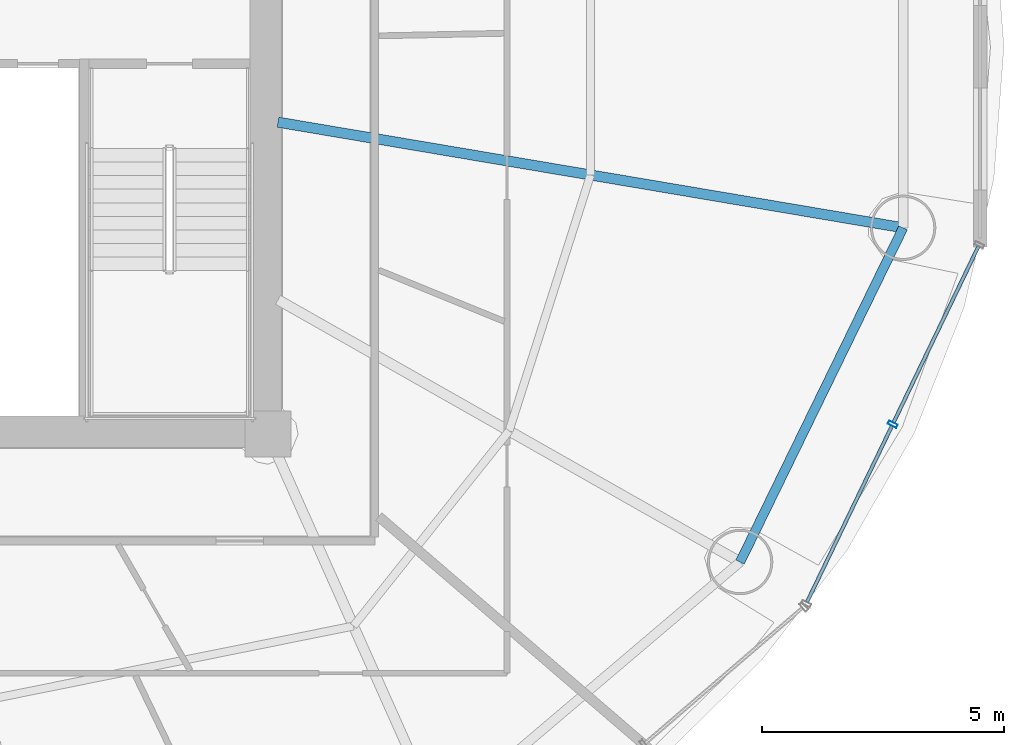
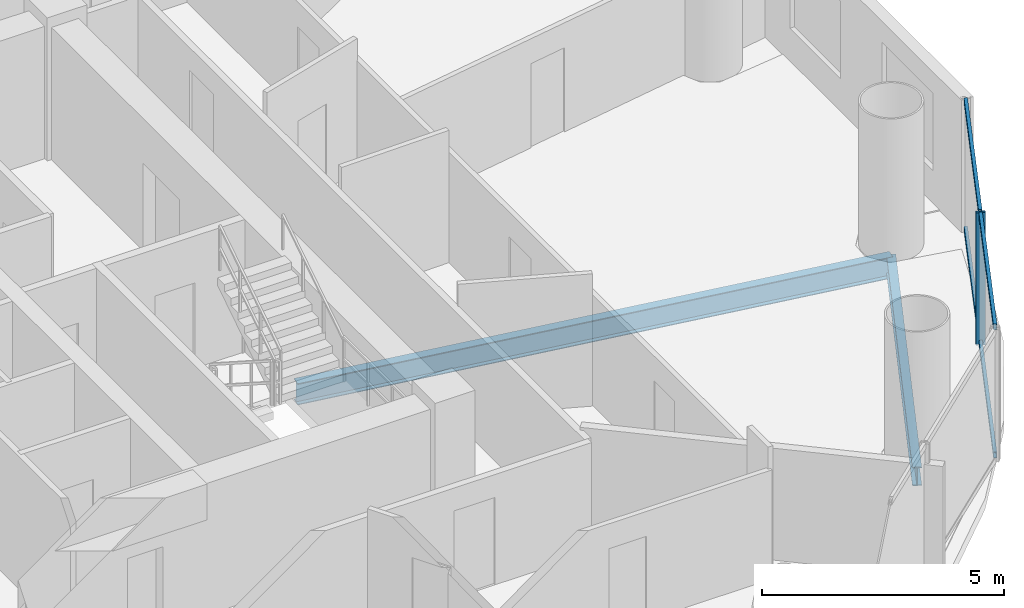
# One storey, part 11 of 27: 5 members, 2 beams, 1 element without a shape of its own.
"""IFC4 building model written with IfcOpenShell, lengths in metres."""

from ifc_helpers import new_model, si_unit, direction, frame, origin, origin_2d, place, context, subcontext, project, spatial, hollow_rectangle, i_section, extrude, source, transform, mapped, material, material_profile, profile_set, type_object, element, aggregate, save


model = new_model("IFC4")

# Units and contexts
model_context = context("Model", 3, precision=1e-05, world=origin(), true_north=direction((-0.2419218956, 0.970295726276)))
body_context = subcontext(model_context, "Body", "Model", "MODEL_VIEW")
ifc_project = project(units=[si_unit("LENGTHUNIT", "METRE"), si_unit("AREAUNIT", "SQUARE_METRE"), si_unit("VOLUMEUNIT", "CUBIC_METRE"), si_unit("PLANEANGLEUNIT", "RADIAN"), si_unit("MASSUNIT", "GRAM", prefix="KILO")], contexts=[model_context])

# Site, building, storey
site_placement = place(None, origin())
site = spatial("IfcSite", under=ifc_project, at=site_placement, CompositionType="ELEMENT")
building_placement = place(site_placement, origin())
building = spatial("IfcBuilding", under=site, at=building_placement, Name="Cobrevalo Terracotta Tower", CompositionType="ELEMENT")
storey_placement = place(building_placement, frame((0.0, 0.0, 149.800048828125)))
storey = spatial("IfcBuildingStorey", under=building, at=storey_placement, Name="L39", CompositionType="ELEMENT", Elevation=149.800048828125)

# Beams
ifc_material_1 = material(Name="Steel S355", Category="steel")
ifc_material_profile_1 = material_profile(ifc_material_1, i_section(OverallWidth=0.2109375, OverallDepth=0.5390625, WebThickness=0.01171875, FlangeThickness=0.018798828125, at=origin_2d()), Name="W 530x109")
ifc_profile_set_1 = profile_set([ifc_material_profile_1], Name="Steel S355")
beam_type_1 = type_object("IfcBeamType", Name="Structural Beam W 530x109 (Steel S355)", PredefinedType="BEAM", material=ifc_profile_set_1)
beam_1_placement = place(storey_placement, frame((60.11669921875, 23.06396484375, -0.53955078125), z_axis=(-0.986029732232, 0.166569406417, 0.0), x_axis=(-0.166569406417, -0.986029732232, 0.0)))
element("IfcBeam", 1, at=beam_1_placement, inside=storey, type_object=beam_type_1, Name="L39 radial floor girder 16", PredefinedType="BEAM", context=body_context, shape_type="SweptSolid", body=[
    extrude(i_section(OverallWidth=0.2109375, OverallDepth=0.5390625, WebThickness=0.01171875, FlangeThickness=0.018798828125, at=origin_2d()), origin(), (0.0, 0.0, 1.0), 13.094482421875),
])
ifc_material_profile_2 = material_profile(ifc_material_1, i_section(OverallWidth=0.194091796875, OverallDepth=0.468994140625, WebThickness=0.011474609375, FlangeThickness=0.0205078125, at=origin_2d()), Name="W 460x106")
ifc_profile_set_2 = profile_set([ifc_material_profile_2], Name="Steel S355")
beam_type_2 = type_object("IfcBeamType", Name="Structural Spandrel W 460x106 (Steel S355)", PredefinedType="SPANDREL", material=ifc_profile_set_2)
beam_2_placement = place(storey_placement, frame((56.749755859375, 16.160888671875, -0.504638671875), z_axis=(0.438380418332, 0.898789524206, 0.0), x_axis=(-0.898789524206, 0.438380418332, 0.0)))
element("IfcBeam", 2, at=beam_2_placement, inside=storey, type_object=beam_type_2, Name="L39 perimeter ring spandrel 15", PredefinedType="SPANDREL", context=body_context, shape_type="SweptSolid", body=[
    extrude(i_section(OverallWidth=0.194091796875, OverallDepth=0.468994140625, WebThickness=0.011474609375, FlangeThickness=0.0205078125, at=origin_2d()), origin(), (0.0, 0.0, 1.0), 7.680419921875),
])

# Curtain wall, members
ifc_material_2 = material(Name="Anodized aluminium", Category="aluminium")
curtain_wall_type = type_object("IfcCurtainWallType", Name="Mid-tower high-wind unitised curtain wall CW-U2", PredefinedType="NOTDEFINED", material=ifc_material_2)
curtain_wall_placement = place(storey_placement, origin())
curtain_wall = element("IfcCurtainWall", 3, at=curtain_wall_placement, inside=storey, type_object=curtain_wall_type, Name="L39 curtain wall CW-L39-S15", PredefinedType="NOTDEFINED")
ifc_material_profile_3 = material_profile(ifc_material_2, hollow_rectangle(XDim=0.074951171875, YDim=0.14990234375, WallThickness=0.00439453125, at=origin_2d()), Name="CWT 75x150")
ifc_profile_set_3 = profile_set([ifc_material_profile_3], Name="Anodized aluminium")
member_type_1 = type_object("IfcMemberType", Name="Tower unitised aluminium transom 75x150", PredefinedType="USERDEFINED", material=ifc_profile_set_3)
shared_shape_1 = source(origin(), body_context, "Body", "SweptSolid", [
    extrude(hollow_rectangle(XDim=0.074951171875, YDim=0.14990234375, WallThickness=0.00439453125, at=origin_2d()), origin(), (0.0, 0.0, 1.0), 4.035888671875),
])
member_1_placement = place(storey_placement, frame((58.13134765625, 15.332763671875, 0.050048828125), z_axis=(0.434221176581, 0.900806288726, 0.0), x_axis=(-0.900806288726, 0.434221176581, 0.0)))
member_1 = element("IfcMember", 4, at=member_1_placement, type_object=member_type_1, Name="CW-L39-S15 transom B01-T1", ObjectType="TRANSOM", PredefinedType="USERDEFINED", context=body_context, shape_type="MappedRepresentation", body=[
    mapped(shared_shape_1, transform((0.0, 0.0, 0.0), scale=1.0)),
])
member_2_placement = place(storey_placement, frame((58.13134765625, 15.332763671875, 3.280029296875), z_axis=(0.434221176581, 0.900806288726, 0.0), x_axis=(-0.900806288726, 0.434221176581, 0.0)))
member_2 = element("IfcMember", 5, at=member_2_placement, type_object=member_type_1, Name="CW-L39-S15 transom B01-T2", ObjectType="TRANSOM", PredefinedType="USERDEFINED", context=body_context, shape_type="MappedRepresentation", body=[
    mapped(shared_shape_1, transform((0.0, 0.0, 0.0), scale=1.0)),
])
member_3_placement = place(storey_placement, frame((59.91845703125, 19.04052734375, 0.050048828125), z_axis=(0.434221176581, 0.900806288726, 0.0), x_axis=(-0.900806288726, 0.434221176581, 0.0)))
member_3 = element("IfcMember", 6, at=member_3_placement, type_object=member_type_1, Name="CW-L39-S15 transom B02-T1", ObjectType="TRANSOM", PredefinedType="USERDEFINED", context=body_context, shape_type="MappedRepresentation", body=[
    mapped(shared_shape_1, transform((0.0, 0.0, 0.0), scale=1.0)),
])
member_4_placement = place(storey_placement, frame((59.91845703125, 19.04052734375, 3.280029296875), z_axis=(0.434221176581, 0.900806288726, 0.0), x_axis=(-0.900806288726, 0.434221176581, 0.0)))
member_4 = element("IfcMember", 7, at=member_4_placement, type_object=member_type_1, Name="CW-L39-S15 transom B02-T2", ObjectType="TRANSOM", PredefinedType="USERDEFINED", context=body_context, shape_type="MappedRepresentation", body=[
    mapped(shared_shape_1, transform((0.0, 0.0, 0.0), scale=1.0)),
])
ifc_material_profile_4 = material_profile(ifc_material_2, hollow_rectangle(XDim=0.074951171875, YDim=0.199951171875, WallThickness=0.0048828125, at=origin_2d()), Name="CWM 75x200")
ifc_profile_set_4 = profile_set([ifc_material_profile_4], Name="Anodized aluminium")
member_type_2 = type_object("IfcMemberType", Name="Lower/mid tower unitised mullion 75x200", PredefinedType="MULLION", material=ifc_profile_set_4)
shared_shape_2 = source(origin(), body_context, "Body", "SweptSolid", [
    extrude(hollow_rectangle(XDim=0.074951171875, YDim=0.199951171875, WallThickness=0.0048828125, at=origin_2d()), origin(), (0.0, 0.0, 1.0), 3.329833984375),
])
member_5_placement = place(storey_placement, frame((59.901123046875, 19.00439453125, 0.0), z_axis=(0.0, 0.0, 1.0), x_axis=(0.434209440271, 0.900811945957, 0.0)))
member_5 = element("IfcMember", 8, at=member_5_placement, type_object=member_type_2, Name="CW-L39-S15 vertical mullion 02", PredefinedType="MULLION", context=body_context, shape_type="MappedRepresentation", body=[
    mapped(shared_shape_2, transform((0.0, 0.0, 0.0), scale=1.0)),
])
aggregate(curtain_wall, [member_5, member_1, member_2, member_3, member_4])

save(model, "model.ifc")
